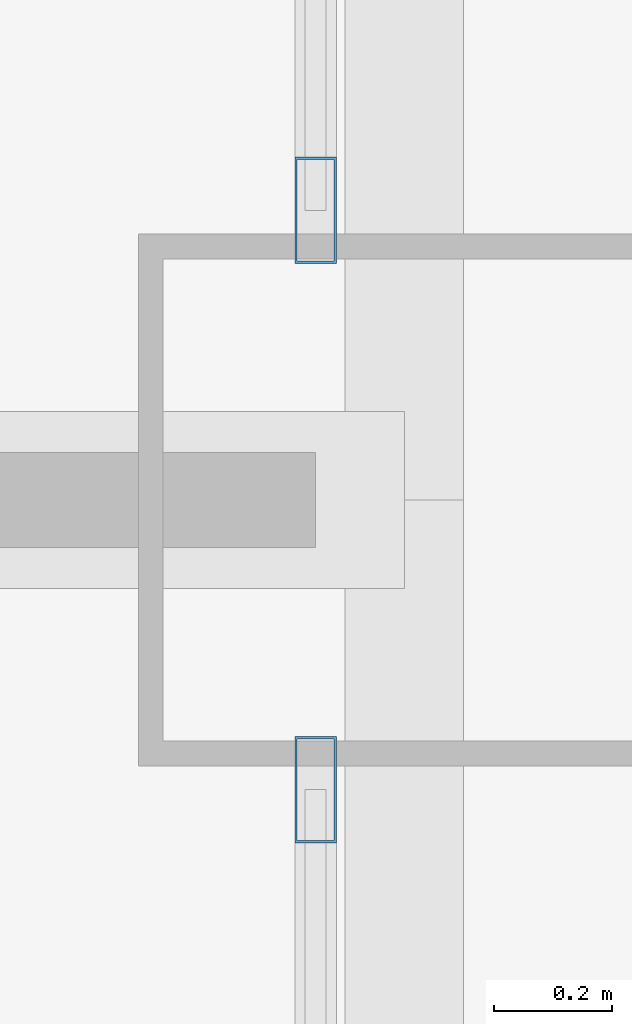
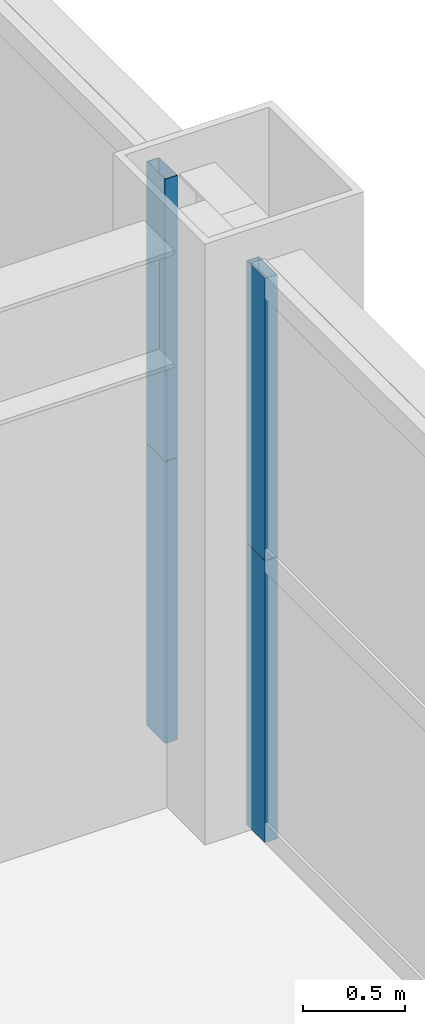
# One storey, part 20 of 41: 4 members, 2 elements without a shape of their own.
"""IFC4 building model written with IfcOpenShell, lengths in metres."""

from ifc_helpers import new_model, si_unit, direction, frame, origin, origin_2d, place, context, subcontext, project, spatial, hollow_rectangle, extrude, source, transform, mapped, material, layer, layer_set, material_profile, profile_set, type_object, element, aggregate, save


model = new_model("IFC4")

# Units and contexts
model_context = context("Model", 3, precision=1e-05, world=origin(), true_north=direction((0.0, 1.0)))
body_context = subcontext(model_context, "Body", "Model", "MODEL_VIEW")
ifc_project = project(units=[si_unit("LENGTHUNIT", "METRE"), si_unit("AREAUNIT", "SQUARE_METRE"), si_unit("VOLUMEUNIT", "CUBIC_METRE"), si_unit("PLANEANGLEUNIT", "RADIAN"), si_unit("MASSUNIT", "GRAM", prefix="KILO"), si_unit("THERMODYNAMICTEMPERATUREUNIT", "KELVIN"), si_unit("POWERUNIT", "WATT")], contexts=[model_context])

# Site, building, storey
site_placement = place(None, origin())
site = spatial("IfcSite", under=ifc_project, at=site_placement, CompositionType="ELEMENT")
building_placement = place(site_placement, origin())
building = spatial("IfcBuilding", under=site, at=building_placement, Name="Yuzanri Waterfront Tower", CompositionType="ELEMENT")
storey_placement = place(building_placement, frame((0.0, 0.0, 115.39990234375)))
storey = spatial("IfcBuildingStorey", under=building, at=storey_placement, Name="L30", CompositionType="ELEMENT", Elevation=115.39990234375)

# Curtain wall, members
ifc_material_1 = material(Name="Anodized Architectural Bronze", Category="metal")
ifc_layer = layer(ifc_material_1, 0.159912109375)
ifc_layer_set = layer_set([ifc_layer], Name="Anodized Architectural Bronze")
curtain_wall_type = type_object("IfcCurtainWallType", Name="Anodized Bronze Hotel Upper-Tier Solar-Control Unitized Curtain Wall 7800", PredefinedType="NOTDEFINED", material=ifc_layer_set)
curtain_wall_1_placement = place(storey_placement, origin())
curtain_wall_1 = element("IfcCurtainWall", 1, at=curtain_wall_1_placement, inside=storey, type_object=curtain_wall_type, Name="L30 Curtain Wall CW-L30-EL", PredefinedType="NOTDEFINED")
ifc_material_2 = material(Name="Anodized Architectural Bronze", Category="metal")
ifc_material_profile = material_profile(ifc_material_2, hollow_rectangle(XDim=0.070068359375, YDim=0.179931640625, WallThickness=0.00390625, at=origin_2d()), Name="CWM 70x180")
ifc_profile_set = profile_set([ifc_material_profile], Name="Anodized Architectural Bronze")
member_type = type_object("IfcMemberType", Name="Anodized Bronze Standard Curtain-Wall Mullion 70x180", PredefinedType="MULLION", material=ifc_profile_set)
shared_shape = source(origin(), body_context, "Body", "SweptSolid", [
    extrude(hollow_rectangle(XDim=0.070068359375, YDim=0.179931640625, WallThickness=0.00390625, at=origin_2d()), origin(), (0.0, 0.0, 1.0), 1.68798828125),
])
member_1_placement = place(storey_placement, frame((60.449951171875, 25.31005859375, 0.0), z_axis=(0.0, 0.0, 1.0), x_axis=(1.0, 0.0, 0.0)))
member_1 = element("IfcMember", 2, at=member_1_placement, type_object=member_type, Name="CW-L30-EL Lower Mullion 02", PredefinedType="MULLION", context=body_context, shape_type="MappedRepresentation", body=[
    mapped(shared_shape, transform((0.0, 0.0, 0.0), scale=1.0)),
])
member_2_placement = place(storey_placement, frame((60.449951171875, 25.31005859375, 1.692138671875), z_axis=(0.0, 0.0, 1.0), x_axis=(1.0, 0.0, 0.0)))
member_2 = element("IfcMember", 3, at=member_2_placement, type_object=member_type, Name="CW-L30-EL Upper Mullion 02", PredefinedType="MULLION", context=body_context, shape_type="MappedRepresentation", body=[
    mapped(shared_shape, transform((0.0, 0.0, 0.0), scale=1.0)),
])
aggregate(curtain_wall_1, [member_1, member_2])

curtain_wall_2_placement = place(storey_placement, origin())
curtain_wall_2 = element("IfcCurtainWall", 4, at=curtain_wall_2_placement, inside=storey, type_object=curtain_wall_type, Name="L30 Curtain Wall CW-L30-ER", PredefinedType="NOTDEFINED")
member_3_placement = place(storey_placement, frame((60.449951171875, 26.2900390625, 0.0), z_axis=(0.0, 0.0, 1.0), x_axis=(1.0, 0.0, 0.0)))
member_3 = element("IfcMember", 5, at=member_3_placement, type_object=member_type, Name="CW-L30-ER Lower Mullion 00", PredefinedType="MULLION", context=body_context, shape_type="MappedRepresentation", body=[
    mapped(shared_shape, transform((0.0, 0.0, 0.0), scale=1.0)),
])
member_4_placement = place(storey_placement, frame((60.449951171875, 26.2900390625, 1.692138671875), z_axis=(0.0, 0.0, 1.0), x_axis=(1.0, 0.0, 0.0)))
member_4 = element("IfcMember", 6, at=member_4_placement, type_object=member_type, Name="CW-L30-ER Upper Mullion 00", PredefinedType="MULLION", context=body_context, shape_type="MappedRepresentation", body=[
    mapped(shared_shape, transform((0.0, 0.0, 0.0), scale=1.0)),
])
aggregate(curtain_wall_2, [member_3, member_4])

save(model, "model.ifc")
